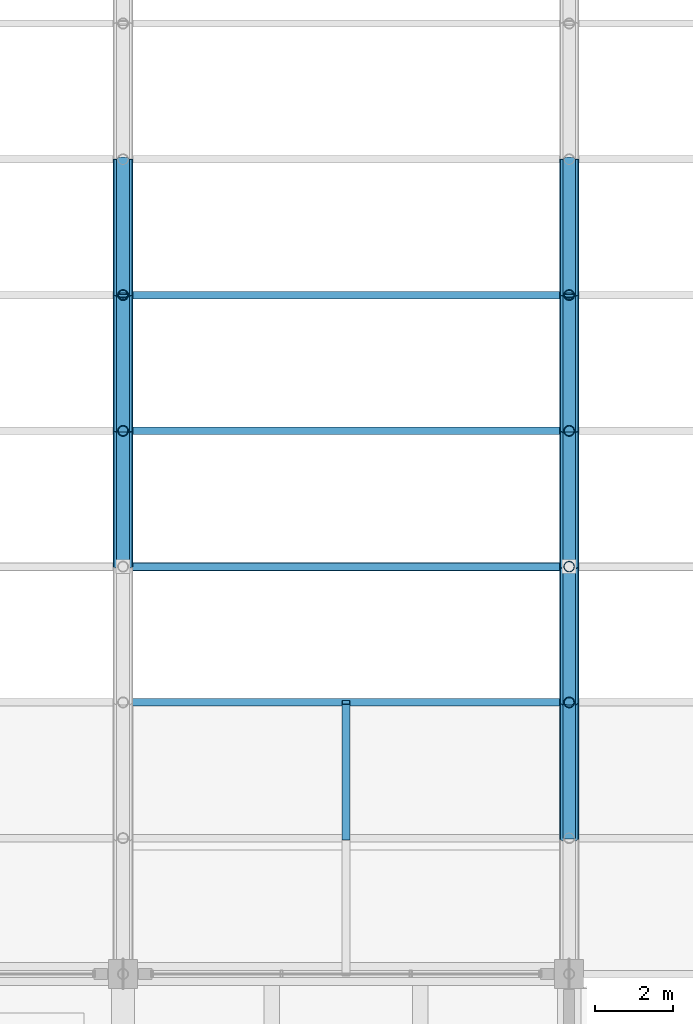
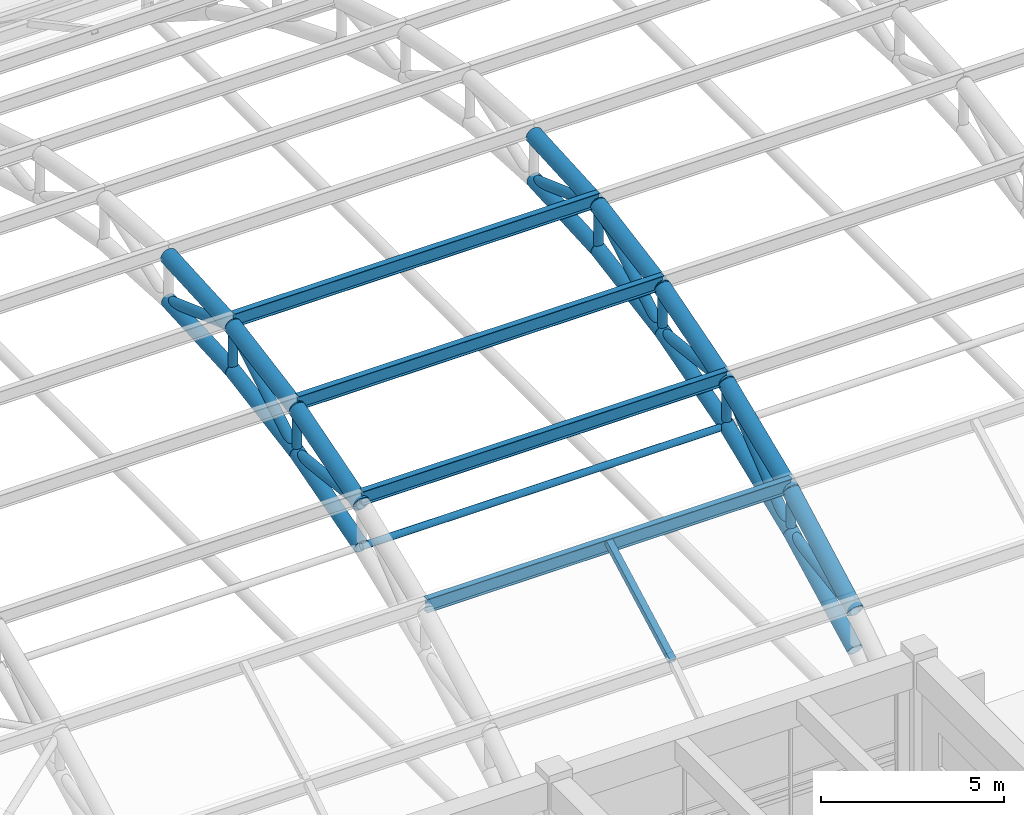
# One storey, part 58 of 154: 36 members.
"""IFC4 building model written with IfcOpenShell, lengths in metres."""

import ifcopenshell
import ifcopenshell.guid

model = None  # the IFC model being written
_history = None  # IfcOwnerHistory: only IFC2X3 demands one
_inside = {}  # id of a spatial element -> (the spatial element, [elements in it])
_under = {}  # id of a project, library or spatial element -> (it, [spatial elements below it])
_declared = {}  # id of a project -> (the project, [libraries it declares])
_typed = {}  # id of a type object -> (the type object, [elements of that type])
_made_of = {}  # id of a material, layer set ... -> (it, [elements and type objects made of it])


def new_model(schema):
    """Start an empty IFC model of exactly this schema.

    Asked for "IFC4X3", IfcOpenShell would pick the latest addendum, in which some entities
    have other attributes; the version numbers below select the first issue.
    IFC2X3 requires an IfcOwnerHistory on every rooted entity: one is made here for all.
    """
    global model, _history
    if schema == "IFC4X3":
        model = ifcopenshell.file(schema_version=(4, 3, 0, 0))
    else:
        model = ifcopenshell.file(schema=schema)
    _inside.clear()
    _under.clear()
    _declared.clear()
    _typed.clear()
    _made_of.clear()
    _history = None
    if model.schema == "IFC2X3":
        org = make("IfcOrganization", Name="unknown")
        user = make(
            "IfcPersonAndOrganization",
            ThePerson=make("IfcPerson", FamilyName="unknown"),
            TheOrganization=org,
        )
        app = make(
            "IfcApplication",
            ApplicationDeveloper=org,
            Version="unknown",
            ApplicationFullName="unknown",
            ApplicationIdentifier="unknown",
        )
        _history = make(
            "IfcOwnerHistory",
            OwningUser=user,
            OwningApplication=app,
            ChangeAction="ADDED",
            CreationDate=0,
        )
    return model


def make(cls, **values):
    """One entity of the class cls with the attributes given. An attribute that is None is left unset."""
    return model.create_entity(
        cls, **{name: value for name, value in values.items() if value is not None}
    )


def rooted(cls, **values):
    """An entity with a GlobalId (a new one), such as an element, a storey or a relation."""
    return make(cls, GlobalId=ifcopenshell.guid.new(), OwnerHistory=_history, **values)


def si_unit(unit_type, name, prefix=None):
    """IfcSIUnit, for example si_unit("LENGTHUNIT", "METRE", prefix="MILLI")."""
    return make("IfcSIUnit", UnitType=unit_type, Prefix=prefix, Name=name)


def assignment(units):
    """IfcUnitAssignment: the units of a project."""
    return None if units is None else make("IfcUnitAssignment", Units=units)


def point(xyz):
    """IfcCartesianPoint."""
    return None if xyz is None else make("IfcCartesianPoint", Coordinates=xyz)


def direction(xyz):
    """IfcDirection."""
    return None if xyz is None else make("IfcDirection", DirectionRatios=xyz)


def frame(location, z_axis=None, x_axis=None):
    """IfcAxis2Placement3D, a coordinate frame: its origin and axes. An axis left out is left unset."""
    return make(
        "IfcAxis2Placement3D",
        Location=point(location),
        Axis=direction(z_axis),
        RefDirection=direction(x_axis),
    )


def frame_2d(location, x_axis=None):
    """IfcAxis2Placement2D, a coordinate frame in the plane: its origin and x axis."""
    return make(
        "IfcAxis2Placement2D", Location=point(location), RefDirection=direction(x_axis)
    )


def origin():
    """The frame at (0, 0, 0) with its axes left unset."""
    return frame((0.0, 0.0, 0.0))


def origin_2d():
    """The frame at (0, 0) in the plane with its x axis left unset."""
    return frame_2d((0.0, 0.0))


def place(relative_to, where):
    """IfcLocalPlacement: puts the frame where relative to a parent placement (None: the world)."""
    return make(
        "IfcLocalPlacement", PlacementRelTo=relative_to, RelativePlacement=where
    )


def context(
    kind, dimensions, precision=None, world=None, true_north=None, identifier=None
):
    """IfcGeometricRepresentationContext, for example the 3D "Model" context."""
    return make(
        "IfcGeometricRepresentationContext",
        ContextIdentifier=identifier,
        ContextType=kind,
        CoordinateSpaceDimension=dimensions,
        Precision=precision,
        WorldCoordinateSystem=world,
        TrueNorth=true_north,
    )


def subcontext(parent, identifier, kind, view, scale=None):
    """IfcGeometricRepresentationSubContext, for example "Body" below "Model"."""
    return make(
        "IfcGeometricRepresentationSubContext",
        ContextIdentifier=identifier,
        ContextType=kind,
        ParentContext=parent,
        TargetScale=scale,
        TargetView=view,
    )


def project(units=None, contexts=None):
    """IfcProject with its units and contexts."""
    return rooted(
        "IfcProject",
        Name="project",
        RepresentationContexts=contexts,
        UnitsInContext=assignment(units),
    )


def spatial(cls, under=None, at=None, **own):
    """A site, building, storey or space (cls), placed at a placement, below another one or the project."""
    s = rooted(cls, ObjectPlacement=at, **own)
    if under is not None:
        _under.setdefault(under.id(), (under, []))[1].append(s)
    return s


def profile(cls, at=None, kind="AREA", **sizes):
    """A parametric profile (cls). Its sizes go by their IFC names, for example OverallWidth=200.0."""
    return make(cls, ProfileType=kind, Position=at, **sizes)


def hollow_rectangle(**sizes):
    """IfcRectangleHollowProfileDef."""
    return profile("IfcRectangleHollowProfileDef", **sizes)


def hollow_circle(**sizes):
    """IfcCircleHollowProfileDef."""
    return profile("IfcCircleHollowProfileDef", **sizes)


def i_section(**sizes):
    """IfcIShapeProfileDef."""
    return profile("IfcIShapeProfileDef", **sizes)


def extrude(swept, where, along, depth):
    """IfcExtrudedAreaSolid: the profile swept, set in the frame where, extruded along a direction by depth."""
    return make(
        "IfcExtrudedAreaSolid",
        SweptArea=swept,
        Position=where,
        ExtrudedDirection=direction(along),
        Depth=depth,
    )


def shape(context_of_items, identifier, shape_type, items):
    """IfcShapeRepresentation: the items that make up one representation, for example the "Body"."""
    return make(
        "IfcShapeRepresentation",
        ContextOfItems=context_of_items,
        RepresentationIdentifier=identifier,
        RepresentationType=shape_type,
        Items=items,
    )


def material(Name=None, Category=None):
    """IfcMaterial."""
    return make("IfcMaterial", Name=Name, Category=Category)


def material_profile(
    of_material, cross_section, Name=None, Category=None, Priority=None
):
    """IfcMaterialProfile: a cross section and its material."""
    return make(
        "IfcMaterialProfile",
        Name=Name,
        Material=of_material,
        Profile=cross_section,
        Priority=Priority,
        Category=Category,
    )


def profile_set(profiles, Name=None, composite=None):
    """IfcMaterialProfileSet."""
    return make(
        "IfcMaterialProfileSet",
        Name=Name,
        MaterialProfiles=profiles,
        CompositeProfile=composite,
    )


def made_of(thing, what):
    """Note that an element or type object is made of a material, layer set ...; save() writes the relation."""
    if what is not None:
        _made_of.setdefault(what.id(), (what, []))[1].append(thing)
    return thing


def type_object(cls, material=None, **own):
    """A type object (cls), such as IfcWallType, which elements share."""
    return made_of(rooted(cls, **own), material)


def element(
    cls,
    number,
    at=None,
    inside=None,
    cuts=None,
    type_object=None,
    material=None,
    context=None,
    identifier="Body",
    shape_type=None,
    held_by="IfcProductDefinitionShape",
    body=None,
    shapes=None,
    **own,
):
    """One element of the class cls, such as IfcWall. Its Tag is "e" and its number.

    at: its placement. inside: the storey or other place that contains it. cuts: it is an
    opening in that element (IfcRelVoidsElement). A single representation is given by context,
    identifier, shape_type and body (its items); several are given by shapes. held_by: the class
    of the entity that holds the representations. save() writes the other relations.
    """
    e = rooted(cls, Tag="e%d" % number, ObjectPlacement=at, **own)
    if body is not None:
        shapes = [shape(context, identifier, shape_type, body)]
    if shapes is not None:
        e.Representation = make(held_by, Representations=shapes)
    if inside is not None:
        _inside.setdefault(inside.id(), (inside, []))[1].append(e)
    if cuts is not None:
        rooted(
            "IfcRelVoidsElement", RelatingBuildingElement=cuts, RelatedOpeningElement=e
        )
    if type_object is not None:
        _typed.setdefault(type_object.id(), (type_object, []))[1].append(e)
    return made_of(e, material)


def aggregate(whole, parts):
    """IfcRelAggregates: a whole, such as a stair, and the parts it consists of."""
    return rooted("IfcRelAggregates", RelatingObject=whole, RelatedObjects=parts)


def save(model, path):
    """Write the relations noted so far, then the file.

    IfcRelAggregates (storeys below a building ...), IfcRelContainedInSpatialStructure (elements
    in a storey), IfcRelDefinesByType, IfcRelAssociatesMaterial and IfcRelDeclares: one each for
    every whole, place, type object, material and project.
    """
    for whole, parts in _under.values():
        aggregate(whole, parts)
    for where, things in _inside.values():
        rooted(
            "IfcRelContainedInSpatialStructure",
            RelatedElements=things,
            RelatingStructure=where,
        )
    for kind, things in _typed.values():
        rooted("IfcRelDefinesByType", RelatedObjects=things, RelatingType=kind)
    for what, things in _made_of.values():
        rooted("IfcRelAssociatesMaterial", RelatedObjects=things, RelatingMaterial=what)
    for by, libraries in _declared.values():
        rooted("IfcRelDeclares", RelatingContext=by, RelatedDefinitions=libraries)
    model.write(path)


model = new_model("IFC4")

# Units and contexts
model_context = context("Model", 3, precision=1e-05, world=origin(), true_north=direction((0.0, 1.0)))
body_context = subcontext(model_context, "Body", "Model", "MODEL_VIEW")
ifc_project = project(units=[si_unit("LENGTHUNIT", "METRE"), si_unit("AREAUNIT", "SQUARE_METRE"), si_unit("VOLUMEUNIT", "CUBIC_METRE"), si_unit("PLANEANGLEUNIT", "RADIAN"), si_unit("MASSUNIT", "GRAM", prefix="KILO")], contexts=[model_context])

# Site, building, storey
site_placement = place(None, origin())
site = spatial("IfcSite", under=ifc_project, at=site_placement, CompositionType="ELEMENT")
building_placement = place(site_placement, origin())
building = spatial("IfcBuilding", under=site, at=building_placement, Name="Ologun Quay Terminus", CompositionType="ELEMENT")
storey_placement = place(building_placement, frame((0.0, 0.0, 13.800048828125)))
storey = spatial("IfcBuildingStorey", under=building, at=storey_placement, Name="L03", CompositionType="ELEMENT", Elevation=13.800048828125)

# Members
ifc_material_1 = material(Name="Steel S355", Category="steel")
ifc_material_profile_1 = material_profile(ifc_material_1, hollow_circle(Radius=0.136474609375, WallThickness=0.010009765625, at=origin_2d()), Name="CHS 273x10")
ifc_profile_set_1 = profile_set([ifc_material_profile_1], Name="Steel S355")
member_type_1 = type_object("IfcMemberType", Name="Arch Truss Vertical Post CHS273", PredefinedType="STRUT", material=ifc_profile_set_1)
member_1_placement = place(storey_placement, frame((115.0, 50.0, 6.435546875), z_axis=(0.0, 0.0, 1.0), x_axis=(1.0, 0.0, 0.0)))
element("IfcMember", 1, at=member_1_placement, inside=storey, type_object=member_type_1, Name="AW2 Arch Web Post 11-N4", PredefinedType="STRUT", context=body_context, shape_type="SweptSolid", body=[
    extrude(hollow_circle(Radius=0.136474609375, WallThickness=0.010009765625, at=origin_2d()), origin(), (0.0, 0.0, 1.0), 1.44873046875),
])
member_2_placement = place(storey_placement, frame((115.0, 53.5, 7.038818359375), z_axis=(0.0, 0.0, 1.0), x_axis=(1.0, 0.0, 0.0)))
element("IfcMember", 2, at=member_2_placement, inside=storey, type_object=member_type_1, Name="AW2 Arch Web Post 11-N5", PredefinedType="STRUT", context=body_context, shape_type="SweptSolid", body=[
    extrude(hollow_circle(Radius=0.136474609375, WallThickness=0.010009765625, at=origin_2d()), origin(), (0.0, 0.0, 1.0), 1.47216796875),
])
member_3_placement = place(storey_placement, frame((126.5, 43.0, 4.022216796875), z_axis=(0.0, 0.0, 1.0), x_axis=(1.0, 0.0, 0.0)))
element("IfcMember", 3, at=member_3_placement, inside=storey, type_object=member_type_1, Name="AW2 Arch Web Post 12-N2", PredefinedType="STRUT", context=body_context, shape_type="SweptSolid", body=[
    extrude(hollow_circle(Radius=0.136474609375, WallThickness=0.010009765625, at=origin_2d()), origin(), (0.0, 0.0, 1.0), 1.35546875),
])
member_4_placement = place(storey_placement, frame((126.5, 46.5, 5.429931640625), z_axis=(0.0, 0.0, 1.0), x_axis=(1.0, 0.0, 0.0)))
element("IfcMember", 4, at=member_4_placement, inside=storey, type_object=member_type_1, Name="AW2 Arch Web Post 12-N3", PredefinedType="STRUT", context=body_context, shape_type="SweptSolid", body=[
    extrude(hollow_circle(Radius=0.136474609375, WallThickness=0.010009765625, at=origin_2d()), origin(), (0.0, 0.0, 1.0), 1.409912109375),
])
member_5_placement = place(storey_placement, frame((126.5, 50.0, 6.435546875), z_axis=(0.0, 0.0, 1.0), x_axis=(1.0, 0.0, 0.0)))
element("IfcMember", 5, at=member_5_placement, inside=storey, type_object=member_type_1, Name="AW2 Arch Web Post 12-N4", PredefinedType="STRUT", context=body_context, shape_type="SweptSolid", body=[
    extrude(hollow_circle(Radius=0.136474609375, WallThickness=0.010009765625, at=origin_2d()), origin(), (0.0, 0.0, 1.0), 1.44873046875),
])
member_6_placement = place(storey_placement, frame((126.5, 53.5, 7.038818359375), z_axis=(0.0, 0.0, 1.0), x_axis=(1.0, 0.0, 0.0)))
element("IfcMember", 6, at=member_6_placement, inside=storey, type_object=member_type_1, Name="AW2 Arch Web Post 12-N5", PredefinedType="STRUT", context=body_context, shape_type="SweptSolid", body=[
    extrude(hollow_circle(Radius=0.136474609375, WallThickness=0.010009765625, at=origin_2d()), origin(), (0.0, 0.0, 1.0), 1.47216796875),
])
ifc_material_2 = material(Name="Steel S355", Category="steel")
ifc_material_profile_2 = material_profile(ifc_material_2, hollow_circle(Radius=0.161865234375, WallThickness=0.010009765625, at=origin_2d()), Name="CHS 323.9x10")
ifc_profile_set_2 = profile_set([ifc_material_profile_2], Name="Steel S355")
member_type_2 = type_object("IfcMemberType", Name="Arch Truss Web Diagonal CHS323", PredefinedType="BRACE", material=ifc_profile_set_2)
member_7_placement = place(storey_placement, frame((115.0, 46.5, 6.83984375), z_axis=(0.0, 0.993394361, -0.114750353084), x_axis=(-1.0, 0.0, 0.0)))
element("IfcMember", 7, at=member_7_placement, inside=storey, type_object=member_type_2, Name="AW1 Arch Web Diagonal 11-P4", PredefinedType="BRACE", context=body_context, shape_type="SweptSolid", body=[
    extrude(hollow_circle(Radius=0.161865234375, WallThickness=0.010009765625, at=origin_2d()), origin(), (0.0, 0.0, 1.0), 3.523193359375),
])
member_8_placement = place(storey_placement, frame((115.0, 50.0, 6.435546875), z_axis=(0.0, 0.860144332958, 0.510050709715), x_axis=(-1.0, 0.0, 0.0)))
element("IfcMember", 8, at=member_8_placement, inside=storey, type_object=member_type_2, Name="AW1 Arch Web Diagonal 11-P5", PredefinedType="BRACE", context=body_context, shape_type="SweptSolid", body=[
    extrude(hollow_circle(Radius=0.161865234375, WallThickness=0.010009765625, at=origin_2d()), origin(), (0.0, 0.0, 1.0), 4.069091796875),
])
member_9_placement = place(storey_placement, frame((115.0, 53.5, 8.510986328125), z_axis=(0.0, 0.939942650142, -0.34133241048), x_axis=(-1.0, 0.0, 0.0)))
element("IfcMember", 9, at=member_9_placement, inside=storey, type_object=member_type_2, Name="AW1 Arch Web Diagonal 11-P6", PredefinedType="BRACE", context=body_context, shape_type="SweptSolid", body=[
    extrude(hollow_circle(Radius=0.161865234375, WallThickness=0.010009765625, at=origin_2d()), origin(), (0.0, 0.0, 1.0), 3.7236328125),
])
member_10_placement = place(storey_placement, frame((126.5, 39.5, 3.497802734375), z_axis=(0.0, 0.988960627525, 0.148178531524), x_axis=(-1.0, 0.0, 0.0)))
element("IfcMember", 10, at=member_10_placement, inside=storey, type_object=member_type_2, Name="AW1 Arch Web Diagonal 12-P2", PredefinedType="BRACE", context=body_context, shape_type="SweptSolid", body=[
    extrude(hollow_circle(Radius=0.161865234375, WallThickness=0.010009765625, at=origin_2d()), origin(), (0.0, 0.0, 1.0), 3.5390625),
])
member_11_placement = place(storey_placement, frame((126.5, 43.0, 4.022216796875), z_axis=(0.0, 0.77895148125, 0.627084196785), x_axis=(-1.0, 0.0, 0.0)))
element("IfcMember", 11, at=member_11_placement, inside=storey, type_object=member_type_2, Name="AW1 Arch Web Diagonal 12-P3", PredefinedType="BRACE", context=body_context, shape_type="SweptSolid", body=[
    extrude(hollow_circle(Radius=0.161865234375, WallThickness=0.010009765625, at=origin_2d()), origin(), (0.0, 0.0, 1.0), 4.4931640625),
])
member_12_placement = place(storey_placement, frame((126.5, 46.5, 6.83984375), z_axis=(0.0, 0.993394361, -0.114750353084), x_axis=(-1.0, 0.0, 0.0)))
element("IfcMember", 12, at=member_12_placement, inside=storey, type_object=member_type_2, Name="AW1 Arch Web Diagonal 12-P4", PredefinedType="BRACE", context=body_context, shape_type="SweptSolid", body=[
    extrude(hollow_circle(Radius=0.161865234375, WallThickness=0.010009765625, at=origin_2d()), origin(), (0.0, 0.0, 1.0), 3.523193359375),
])
member_13_placement = place(storey_placement, frame((126.5, 50.0, 6.435546875), z_axis=(0.0, 0.860144332958, 0.510050709715), x_axis=(-1.0, 0.0, 0.0)))
element("IfcMember", 13, at=member_13_placement, inside=storey, type_object=member_type_2, Name="AW1 Arch Web Diagonal 12-P5", PredefinedType="BRACE", context=body_context, shape_type="SweptSolid", body=[
    extrude(hollow_circle(Radius=0.161865234375, WallThickness=0.010009765625, at=origin_2d()), origin(), (0.0, 0.0, 1.0), 4.069091796875),
])
member_14_placement = place(storey_placement, frame((126.5, 53.5, 8.510986328125), z_axis=(0.0, 0.939942650142, -0.34133241048), x_axis=(-1.0, 0.0, 0.0)))
element("IfcMember", 14, at=member_14_placement, inside=storey, type_object=member_type_2, Name="AW1 Arch Web Diagonal 12-P6", PredefinedType="BRACE", context=body_context, shape_type="SweptSolid", body=[
    extrude(hollow_circle(Radius=0.161865234375, WallThickness=0.010009765625, at=origin_2d()), origin(), (0.0, 0.0, 1.0), 3.7236328125),
])
ifc_material_3 = material(Name="Steel S355", Category="steel")
ifc_material_profile_3 = material_profile(ifc_material_3, hollow_circle(Radius=0.228515625, WallThickness=0.01611328125, at=origin_2d()), Name="CHS 457x16")
ifc_profile_set_3 = profile_set([ifc_material_profile_3], Name="Steel S355")
member_type_3 = type_object("IfcMemberType", Name="Parabolic Arch Bottom Chord CHS457", PredefinedType="CHORD", material=ifc_profile_set_3)
member_15_placement = place(storey_placement, frame((115.0, 46.5, 5.429931640625), z_axis=(0.0, 0.961115578425, 0.276146419331), x_axis=(-1.0, 0.0, 0.0)))
element("IfcMember", 15, at=member_15_placement, inside=storey, type_object=member_type_3, Name="AC2 Arch Bottom Chord 11-P4", PredefinedType="CHORD", context=body_context, shape_type="SweptSolid", body=[
    extrude(hollow_circle(Radius=0.228515625, WallThickness=0.01611328125, at=origin_2d()), origin(), (0.0, 0.0, 1.0), 3.6416015625),
])
member_16_placement = place(storey_placement, frame((115.0, 50.0, 6.435546875), z_axis=(0.0, 0.985468449185, 0.16985857547), x_axis=(-1.0, 0.0, 0.0)))
element("IfcMember", 16, at=member_16_placement, inside=storey, type_object=member_type_3, Name="AC2 Arch Bottom Chord 11-P5", PredefinedType="CHORD", context=body_context, shape_type="SweptSolid", body=[
    extrude(hollow_circle(Radius=0.228515625, WallThickness=0.01611328125, at=origin_2d()), origin(), (0.0, 0.0, 1.0), 3.551513671875),
])
member_17_placement = place(storey_placement, frame((115.0, 53.5, 7.038818359375), z_axis=(0.0, 0.998352239869, 0.057382969144), x_axis=(-1.0, 0.0, 0.0)))
element("IfcMember", 17, at=member_17_placement, inside=storey, type_object=member_type_3, Name="AC2 Arch Bottom Chord 11-P6", PredefinedType="CHORD", context=body_context, shape_type="SweptSolid", body=[
    extrude(hollow_circle(Radius=0.228515625, WallThickness=0.01611328125, at=origin_2d()), origin(), (0.0, 0.0, 1.0), 3.505859375),
])
member_18_placement = place(storey_placement, frame((126.5, 39.5, 2.212158203125), z_axis=(0.0, 0.888247284083, 0.459365608551), x_axis=(-1.0, 0.0, 0.0)))
element("IfcMember", 18, at=member_18_placement, inside=storey, type_object=member_type_3, Name="AC2 Arch Bottom Chord 12-P2", PredefinedType="CHORD", context=body_context, shape_type="SweptSolid", body=[
    extrude(hollow_circle(Radius=0.228515625, WallThickness=0.01611328125, at=origin_2d()), origin(), (0.0, 0.0, 1.0), 3.9404296875),
])
member_19_placement = place(storey_placement, frame((126.5, 43.0, 4.022216796875), z_axis=(0.0, 0.92776983497, 0.373152962363), x_axis=(-1.0, 0.0, 0.0)))
element("IfcMember", 19, at=member_19_placement, inside=storey, type_object=member_type_3, Name="AC2 Arch Bottom Chord 12-P3", PredefinedType="CHORD", context=body_context, shape_type="SweptSolid", body=[
    extrude(hollow_circle(Radius=0.228515625, WallThickness=0.01611328125, at=origin_2d()), origin(), (0.0, 0.0, 1.0), 3.7724609375),
])
member_20_placement = place(storey_placement, frame((126.5, 46.5, 5.429931640625), z_axis=(0.0, 0.961115578425, 0.276146419331), x_axis=(-1.0, 0.0, 0.0)))
element("IfcMember", 20, at=member_20_placement, inside=storey, type_object=member_type_3, Name="AC2 Arch Bottom Chord 12-P4", PredefinedType="CHORD", context=body_context, shape_type="SweptSolid", body=[
    extrude(hollow_circle(Radius=0.228515625, WallThickness=0.01611328125, at=origin_2d()), origin(), (0.0, 0.0, 1.0), 3.6416015625),
])
member_21_placement = place(storey_placement, frame((126.5, 50.0, 6.435546875), z_axis=(0.0, 0.985468449185, 0.16985857547), x_axis=(-1.0, 0.0, 0.0)))
element("IfcMember", 21, at=member_21_placement, inside=storey, type_object=member_type_3, Name="AC2 Arch Bottom Chord 12-P5", PredefinedType="CHORD", context=body_context, shape_type="SweptSolid", body=[
    extrude(hollow_circle(Radius=0.228515625, WallThickness=0.01611328125, at=origin_2d()), origin(), (0.0, 0.0, 1.0), 3.551513671875),
])
member_22_placement = place(storey_placement, frame((126.5, 53.5, 7.038818359375), z_axis=(0.0, 0.998352239869, 0.057382969144), x_axis=(-1.0, 0.0, 0.0)))
element("IfcMember", 22, at=member_22_placement, inside=storey, type_object=member_type_3, Name="AC2 Arch Bottom Chord 12-P6", PredefinedType="CHORD", context=body_context, shape_type="SweptSolid", body=[
    extrude(hollow_circle(Radius=0.228515625, WallThickness=0.01611328125, at=origin_2d()), origin(), (0.0, 0.0, 1.0), 3.505859375),
])
ifc_material_4 = material(Name="Steel S355", Category="steel")
ifc_material_profile_4 = material_profile(ifc_material_4, hollow_circle(Radius=0.25390625, WallThickness=0.01611328125, at=origin_2d()), Name="CHS 508x16")
ifc_profile_set_4 = profile_set([ifc_material_profile_4], Name="Steel S355")
member_type_4 = type_object("IfcMemberType", Name="Parabolic Arch Top Chord CHS508", PredefinedType="CHORD", material=ifc_profile_set_4)
member_23_placement = place(storey_placement, frame((115.0, 46.5, 6.83984375), z_axis=(0.0, 0.958244712677, 0.285949419701), x_axis=(-1.0, 0.0, 0.0)))
element("IfcMember", 23, at=member_23_placement, inside=storey, type_object=member_type_4, Name="Arch Top Chord 11-P4", PredefinedType="CHORD", context=body_context, shape_type="SweptSolid", body=[
    extrude(hollow_circle(Radius=0.25390625, WallThickness=0.01611328125, at=origin_2d()), origin(), (0.0, 0.0, 1.0), 3.652587890625),
])
member_24_placement = place(storey_placement, frame((115.0, 50.0, 7.88427734375), z_axis=(0.0, 0.984344289591, 0.176256402859), x_axis=(-1.0, 0.0, 0.0)))
element("IfcMember", 24, at=member_24_placement, inside=storey, type_object=member_type_4, Name="Arch Top Chord 11-P5", PredefinedType="CHORD", context=body_context, shape_type="SweptSolid", body=[
    extrude(hollow_circle(Radius=0.25390625, WallThickness=0.01611328125, at=origin_2d()), origin(), (0.0, 0.0, 1.0), 3.5556640625),
])
member_25_placement = place(storey_placement, frame((115.0, 53.5, 8.510986328125), z_axis=(0.0, 0.998222121157, 0.0596036646), x_axis=(-1.0, 0.0, 0.0)))
element("IfcMember", 25, at=member_25_placement, inside=storey, type_object=member_type_4, Name="Arch Top Chord 11-P6", PredefinedType="CHORD", context=body_context, shape_type="SweptSolid", body=[
    extrude(hollow_circle(Radius=0.25390625, WallThickness=0.01611328125, at=origin_2d()), origin(), (0.0, 0.0, 1.0), 3.50634765625),
])
member_26_placement = place(storey_placement, frame((126.5, 39.5, 3.497802734375), z_axis=(0.0, 0.880967864924, 0.473176099324), x_axis=(-1.0, 0.0, 0.0)))
element("IfcMember", 26, at=member_26_placement, inside=storey, type_object=member_type_4, Name="Arch Top Chord 12-P2", PredefinedType="CHORD", context=body_context, shape_type="SweptSolid", body=[
    extrude(hollow_circle(Radius=0.25390625, WallThickness=0.01611328125, at=origin_2d()), origin(), (0.0, 0.0, 1.0), 3.972900390625),
])
member_27_placement = place(storey_placement, frame((126.5, 43.0, 5.377685546875), z_axis=(0.0, 0.922718523726, 0.385474416755), x_axis=(-1.0, 0.0, 0.0)))
element("IfcMember", 27, at=member_27_placement, inside=storey, type_object=member_type_4, Name="Arch Top Chord 12-P3", PredefinedType="CHORD", context=body_context, shape_type="SweptSolid", body=[
    extrude(hollow_circle(Radius=0.25390625, WallThickness=0.01611328125, at=origin_2d()), origin(), (0.0, 0.0, 1.0), 3.793212890625),
])
member_28_placement = place(storey_placement, frame((126.5, 46.5, 6.83984375), z_axis=(0.0, 0.958244712677, 0.285949419701), x_axis=(-1.0, 0.0, 0.0)))
element("IfcMember", 28, at=member_28_placement, inside=storey, type_object=member_type_4, Name="Arch Top Chord 12-P4", PredefinedType="CHORD", context=body_context, shape_type="SweptSolid", body=[
    extrude(hollow_circle(Radius=0.25390625, WallThickness=0.01611328125, at=origin_2d()), origin(), (0.0, 0.0, 1.0), 3.652587890625),
])
member_29_placement = place(storey_placement, frame((126.5, 50.0, 7.88427734375), z_axis=(0.0, 0.984344289591, 0.176256402859), x_axis=(-1.0, 0.0, 0.0)))
element("IfcMember", 29, at=member_29_placement, inside=storey, type_object=member_type_4, Name="Arch Top Chord 12-P5", PredefinedType="CHORD", context=body_context, shape_type="SweptSolid", body=[
    extrude(hollow_circle(Radius=0.25390625, WallThickness=0.01611328125, at=origin_2d()), origin(), (0.0, 0.0, 1.0), 3.5556640625),
])
member_30_placement = place(storey_placement, frame((126.5, 53.5, 8.510986328125), z_axis=(0.0, 0.998222121157, 0.0596036646), x_axis=(-1.0, 0.0, 0.0)))
element("IfcMember", 30, at=member_30_placement, inside=storey, type_object=member_type_4, Name="Arch Top Chord 12-P6", PredefinedType="CHORD", context=body_context, shape_type="SweptSolid", body=[
    extrude(hollow_circle(Radius=0.25390625, WallThickness=0.01611328125, at=origin_2d()), origin(), (0.0, 0.0, 1.0), 3.50634765625),
])
ifc_material_5 = material(Name="Steel S355", Category="steel")
ifc_material_profile_5 = material_profile(ifc_material_5, hollow_circle(Radius=0.109619140625, WallThickness=0.008056640625, at=origin_2d()), Name="CHS 219.1x8")
ifc_profile_set_5 = profile_set([ifc_material_profile_5], Name="Steel S355")
member_type_5 = type_object("IfcMemberType", Name="Roof Plan Wind Brace Collector CHS219", PredefinedType="STRUT", material=ifc_profile_set_5)
member_31_placement = place(storey_placement, frame((115.0, 46.5, 5.429931640625), z_axis=(1.0, 0.0, 0.0), x_axis=(0.0, 1.0, 0.0)))
element("IfcMember", 31, at=member_31_placement, inside=storey, type_object=member_type_5, Name="WB2 Collector Strut B11-K3", PredefinedType="STRUT", context=body_context, shape_type="SweptSolid", body=[
    extrude(hollow_circle(Radius=0.109619140625, WallThickness=0.008056640625, at=origin_2d()), origin(), (0.0, 0.0, 1.0), 11.5),
])
ifc_material_6 = material(Name="Steel S355", Category="steel")
ifc_material_profile_6 = material_profile(ifc_material_6, hollow_rectangle(XDim=0.199951171875, YDim=0.199951171875, WallThickness=0.008056640625, at=origin_2d()), Name="SHS 200x200x8")
ifc_profile_set_6 = profile_set([ifc_material_profile_6], Name="Steel S355")
member_type_6 = type_object("IfcMemberType", Name="Skylight Cross Transom Bar RHS150", PredefinedType="STRUT", material=ifc_profile_set_6)
member_32_placement = place(storey_placement, frame((120.75, 39.5, 3.851806640625), z_axis=(0.0, 0.880967864924, 0.473176099324), x_axis=(-1.0, 0.0, 0.0)))
element("IfcMember", 32, at=member_32_placement, inside=storey, type_object=member_type_6, Name="SK2 Eave Secondary Rafter B11-P2", PredefinedType="STRUT", context=body_context, shape_type="SweptSolid", body=[
    extrude(hollow_rectangle(XDim=0.199951171875, YDim=0.199951171875, WallThickness=0.008056640625, at=origin_2d()), origin(), (0.0, 0.0, 1.0), 3.972900390625),
])
ifc_material_7 = material(Name="Steel S355", Category="steel")
ifc_material_profile_7 = material_profile(ifc_material_7, i_section(OverallWidth=0.1904296875, OverallDepth=0.45703125, WebThickness=0.009033203125, FlangeThickness=0.014404296875, at=origin_2d()), Name="UKB 457x191x74")
ifc_profile_set_7 = profile_set([ifc_material_profile_7], Name="Steel S355")
member_type_7 = type_object("IfcMemberType", Name="Train Shed Primary Roof Purlin UKB457", PredefinedType="PURLIN", material=ifc_profile_set_7)
for number, where, z_axis, x_axis, name in (
    (33, (115.0, 43.0, 5.606201171875), (1.0, 0.0, 0.0), (0.0, 1.0, 0.0), "PR1 Roof Purlin B11-N2"),
    (34, (115.0, 46.5, 7.068359375), (1.0, 0.0, 0.0), (0.0, 1.0, 0.0), "PR1 Roof Purlin B11-N3"),
    (35, (115.0, 50.0, 8.11279296875), (1.0, 0.0, 0.0), (0.0, 1.0, 0.0), "PR1 Roof Purlin B11-N4"),
    (36, (115.0, 53.5, 8.739501953125), (1.0, 0.0, 0.0), (0.0, 1.0, 0.0), "PR1 Roof Purlin B11-N5"),
):
    element("IfcMember", number, at=place(storey_placement, frame(where, z_axis=z_axis, x_axis=x_axis)), inside=storey, type_object=member_type_7, Name=name, PredefinedType="PURLIN", context=body_context, shape_type="SweptSolid", body=[
        extrude(i_section(OverallWidth=0.1904296875, OverallDepth=0.45703125, WebThickness=0.009033203125, FlangeThickness=0.014404296875, at=origin_2d()), origin(), (0.0, 0.0, 1.0), 11.5),
    ])

save(model, "model.ifc")
